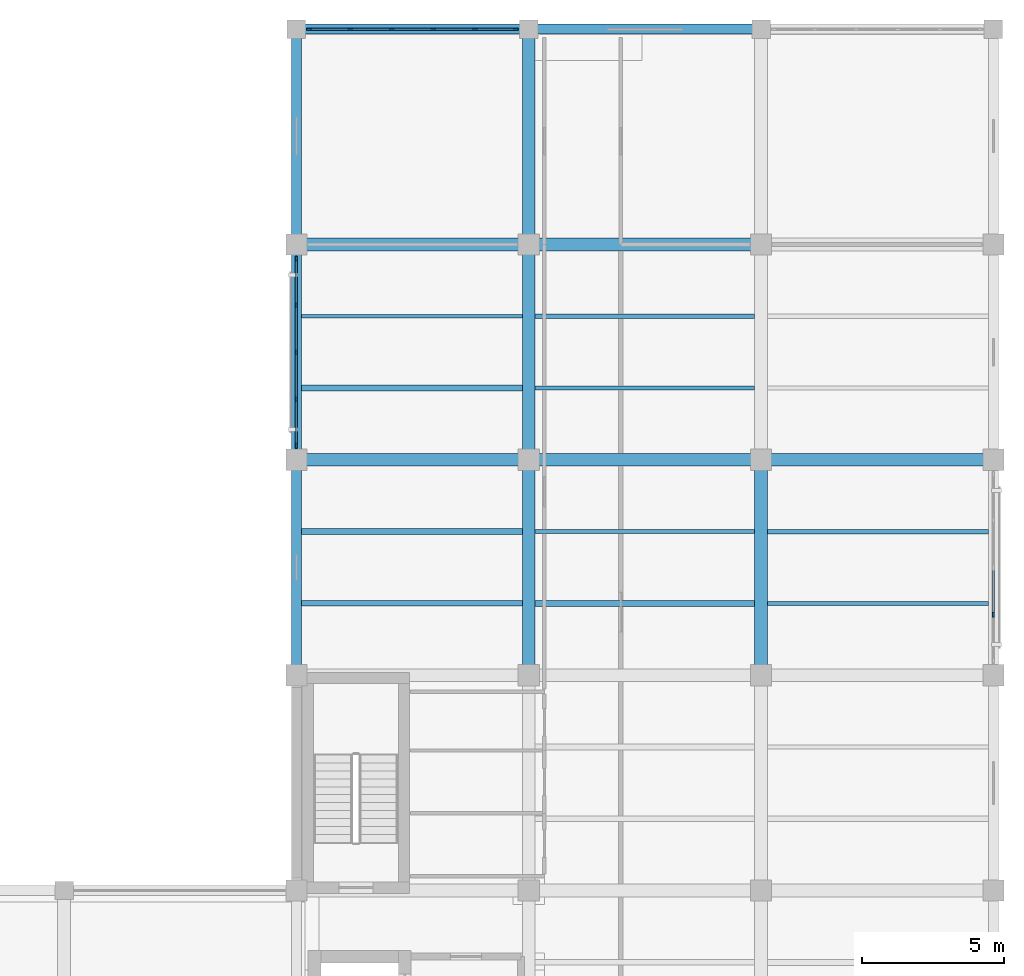
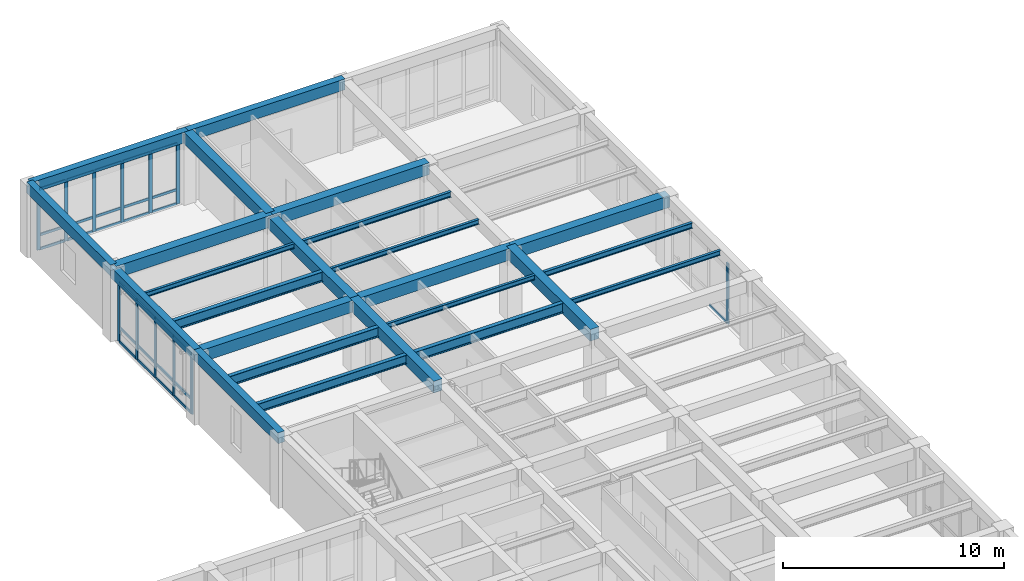
# One storey, part 4 of 14: 40 members, 24 beams, 3 elements without a shape of their own.
"""IFC4 building model written with IfcOpenShell, lengths in metres."""

from ifc_helpers import new_model, si_unit, direction, frame, origin, origin_2d, place, context, subcontext, project, spatial, rectangle, i_section, extrude, material, material_profile, profile_set, type_object, element, aggregate, save


model = new_model("IFC4")

# Units and contexts
model_context = context("Model", 3, precision=1e-05, world=origin(), true_north=direction((0.0, 1.0)))
body_context = subcontext(model_context, "Body", "Model", "MODEL_VIEW")
ifc_project = project(units=[si_unit("LENGTHUNIT", "METRE"), si_unit("AREAUNIT", "SQUARE_METRE"), si_unit("VOLUMEUNIT", "CUBIC_METRE"), si_unit("PLANEANGLEUNIT", "RADIAN"), si_unit("MASSUNIT", "GRAM", prefix="KILO")], contexts=[model_context])

# Site, building, storey
site_placement = place(None, origin())
site = spatial("IfcSite", under=ifc_project, at=site_placement, CompositionType="ELEMENT")
building_placement = place(site_placement, origin())
building = spatial("IfcBuilding", under=site, at=building_placement, Name="Qandaris Square Conservatory and Botanical Centre", CompositionType="ELEMENT")
storey_placement = place(building_placement, frame((0.0, 0.0, 49.199951171875)))
storey = spatial("IfcBuildingStorey", under=building, at=storey_placement, Name="L11", CompositionType="ELEMENT", Elevation=49.199951171875)

# Beams
ifc_material_1 = material(Name="Steel S355", Category="steel")
ifc_material_profile_1 = material_profile(ifc_material_1, i_section(OverallWidth=0.199951171875, OverallDepth=0.5, WebThickness=0.01025390625, FlangeThickness=0.01611328125, FilletRadius=0.02099609375, at=origin_2d()), Name="IPE 500")
ifc_profile_set_1 = profile_set([ifc_material_profile_1], Name="Steel S355")
beam_type_1 = type_object("IfcBeamType", Name="Composite Gallery Joist IPE 500", PredefinedType="JOIST", material=ifc_profile_set_1)
beam_1_placement = place(storey_placement, frame((139.375, 49.533203125, 3.64013671875), z_axis=(1.0, 0.0, 0.0), x_axis=(0.0, 1.0, 0.0)))
element("IfcBeam", 1, at=beam_1_placement, inside=storey, type_object=beam_type_1, Name="L11 Composite Joist 2619", PredefinedType="JOIST", context=body_context, shape_type="SweptSolid", body=[
    extrude(i_section(OverallWidth=0.199951171875, OverallDepth=0.5, WebThickness=0.01025390625, FlangeThickness=0.01611328125, FilletRadius=0.02099609375, at=origin_2d()), origin(), (0.0, 0.0, 1.0), 7.800048828125),
])
ifc_material_profile_2 = material_profile(ifc_material_1, i_section(OverallWidth=0.14990234375, OverallDepth=0.300048828125, WebThickness=0.007080078125, FlangeThickness=0.0107421875, FilletRadius=0.014892578125, at=origin_2d()), Name="IPE 300")
ifc_profile_set_2 = profile_set([ifc_material_profile_2], Name="Steel S355")
beam_type_2 = type_object("IfcBeamType", Name="Composite Lab Joist IPE 300", PredefinedType="JOIST", material=ifc_profile_set_2)
beam_2_placement = place(storey_placement, frame((147.625, 59.666748046875, 3.739990234375), z_axis=(1.0, 0.0, 0.0), x_axis=(0.0, 1.0, 0.0)))
element("IfcBeam", 2, at=beam_2_placement, inside=storey, type_object=beam_type_2, Name="L11 Composite Joist 2631", PredefinedType="JOIST", context=body_context, shape_type="SweptSolid", body=[
    extrude(i_section(OverallWidth=0.14990234375, OverallDepth=0.300048828125, WebThickness=0.007080078125, FlangeThickness=0.0107421875, FilletRadius=0.014892578125, at=origin_2d()), origin(), (0.0, 0.0, 1.0), 7.75),
])
beam_3_placement = place(storey_placement, frame((155.824951171875, 52.066650390625, 3.739990234375), z_axis=(1.0, 0.0, 0.0), x_axis=(0.0, 1.0, 0.0)))
element("IfcBeam", 3, at=beam_3_placement, inside=storey, type_object=beam_type_2, Name="L11 Composite Joist 2641", PredefinedType="JOIST", context=body_context, shape_type="SweptSolid", body=[
    extrude(i_section(OverallWidth=0.14990234375, OverallDepth=0.300048828125, WebThickness=0.007080078125, FlangeThickness=0.0107421875, FilletRadius=0.014892578125, at=origin_2d()), origin(), (0.0, 0.0, 1.0), 7.800048828125),
])

# Curtain wall, member
ifc_material_2 = material(Name="Anodised Aluminium", Category="aluminium")
curtain_wall_type_1 = type_object("IfcCurtainWallType", Name="Unitised Curtain Wall CW-4-665x334", PredefinedType="USERDEFINED", material=ifc_material_2)
curtain_wall_1_placement = place(storey_placement, origin())
curtain_wall_1 = element("IfcCurtainWall", 4, at=curtain_wall_1_placement, inside=storey, type_object=curtain_wall_type_1, Name="Curtain Wall CW-TWR-L11-2-5", ObjectType="GLAZED CURTAIN WALL", PredefinedType="USERDEFINED")
ifc_material_profile_3 = material_profile(ifc_material_2, rectangle(XDim=0.06494140625, YDim=0.179931640625, at=origin_2d()), Name="ALU-MUL 65x180")
ifc_profile_set_3 = profile_set([ifc_material_profile_3], Name="Anodised Aluminium")
member_type_1 = type_object("IfcMemberType", Name="Curtain Wall Mullion 65x180", PredefinedType="MULLION", material=ifc_profile_set_3)
member_1_placement = place(storey_placement, frame((163.800048828125, 49.137451171875, 0.0), z_axis=(0.0, 0.0, 1.0), x_axis=(-1.0, 0.0, 0.0)))
member_1 = element("IfcMember", 5, at=member_1_placement, type_object=member_type_1, Name="CW-4-665x334 mullion 2", PredefinedType="MULLION", context=body_context, shape_type="SweptSolid", body=[
    extrude(rectangle(XDim=0.06494140625, YDim=0.179931640625, at=origin_2d()), origin(), (0.0, 0.0, 1.0), 3.344970703125),
])

# Curtain wall, members
curtain_wall_type_2 = type_object("IfcCurtainWallType", Name="Unitised Curtain Wall CW-3-735x337", PredefinedType="USERDEFINED", material=ifc_material_2)
curtain_wall_2_placement = place(storey_placement, origin())
curtain_wall_2 = element("IfcCurtainWall", 6, at=curtain_wall_2_placement, inside=storey, type_object=curtain_wall_type_2, Name="Curtain Wall CW-TWR-L11-3-3", ObjectType="GLAZED CURTAIN WALL", PredefinedType="USERDEFINED")
member_2_placement = place(storey_placement, frame((146.9423828125, 69.800048828125, 0.0), z_axis=(0.0, 0.0, 1.0), x_axis=(0.0, -1.0, 0.0)))
member_2 = element("IfcMember", 7, at=member_2_placement, type_object=member_type_1, Name="CW-3-735x337 mullion 1", PredefinedType="MULLION", context=body_context, shape_type="SweptSolid", body=[
    extrude(rectangle(XDim=0.06494140625, YDim=0.179931640625, at=origin_2d()), origin(), (0.0, 0.0, 1.0), 3.3701171875),
])
member_3_placement = place(storey_placement, frame((145.5048828125, 69.800048828125, 0.0), z_axis=(0.0, 0.0, 1.0), x_axis=(0.0, -1.0, 0.0)))
member_3 = element("IfcMember", 8, at=member_3_placement, type_object=member_type_1, Name="CW-3-735x337 mullion 2", PredefinedType="MULLION", context=body_context, shape_type="SweptSolid", body=[
    extrude(rectangle(XDim=0.06494140625, YDim=0.179931640625, at=origin_2d()), origin(), (0.0, 0.0, 1.0), 3.3701171875),
])
member_4_placement = place(storey_placement, frame((144.034912109375, 69.800048828125, 0.0), z_axis=(0.0, 0.0, 1.0), x_axis=(0.0, -1.0, 0.0)))
member_4 = element("IfcMember", 9, at=member_4_placement, type_object=member_type_1, Name="CW-3-735x337 mullion 3", PredefinedType="MULLION", context=body_context, shape_type="SweptSolid", body=[
    extrude(rectangle(XDim=0.06494140625, YDim=0.179931640625, at=origin_2d()), origin(), (0.0, 0.0, 1.0), 3.3701171875),
])
member_5_placement = place(storey_placement, frame((142.56494140625, 69.800048828125, 0.0), z_axis=(0.0, 0.0, 1.0), x_axis=(0.0, -1.0, 0.0)))
member_5 = element("IfcMember", 10, at=member_5_placement, type_object=member_type_1, Name="CW-3-735x337 mullion 4", PredefinedType="MULLION", context=body_context, shape_type="SweptSolid", body=[
    extrude(rectangle(XDim=0.06494140625, YDim=0.179931640625, at=origin_2d()), origin(), (0.0, 0.0, 1.0), 3.3701171875),
])
member_6_placement = place(storey_placement, frame((141.094970703125, 69.800048828125, 0.0), z_axis=(0.0, 0.0, 1.0), x_axis=(0.0, -1.0, 0.0)))
member_6 = element("IfcMember", 11, at=member_6_placement, type_object=member_type_1, Name="CW-3-735x337 mullion 5", PredefinedType="MULLION", context=body_context, shape_type="SweptSolid", body=[
    extrude(rectangle(XDim=0.06494140625, YDim=0.179931640625, at=origin_2d()), origin(), (0.0, 0.0, 1.0), 3.3701171875),
])
member_7_placement = place(storey_placement, frame((139.657470703125, 69.800048828125, 0.0), z_axis=(0.0, 0.0, 1.0), x_axis=(0.0, -1.0, 0.0)))
member_7 = element("IfcMember", 12, at=member_7_placement, type_object=member_type_1, Name="CW-3-735x337 mullion 6", PredefinedType="MULLION", context=body_context, shape_type="SweptSolid", body=[
    extrude(rectangle(XDim=0.06494140625, YDim=0.179931640625, at=origin_2d()), origin(), (0.0, 0.0, 1.0), 3.3701171875),
])

curtain_wall_type_3 = type_object("IfcCurtainWallType", Name="Unitised Curtain Wall CW-4-665x330", PredefinedType="USERDEFINED", material=ifc_material_2)
curtain_wall_3_placement = place(storey_placement, origin())
curtain_wall_3 = element("IfcCurtainWall", 13, at=curtain_wall_3_placement, inside=storey, type_object=curtain_wall_type_3, Name="Curtain Wall CW-TWR-L11-4-2", ObjectType="GLAZED CURTAIN WALL", PredefinedType="USERDEFINED")
member_8_placement = place(storey_placement, frame((139.199951171875, 61.6923828125, 0.0), z_axis=(0.0, 0.0, 1.0), x_axis=(1.0, 0.0, 0.0)))
member_8 = element("IfcMember", 14, at=member_8_placement, type_object=member_type_1, Name="CW-4-665x330 mullion 1", PredefinedType="MULLION", context=body_context, shape_type="SweptSolid", body=[
    extrude(rectangle(XDim=0.06494140625, YDim=0.179931640625, at=origin_2d()), origin(), (0.0, 0.0, 1.0), 3.300048828125),
])
member_9_placement = place(storey_placement, frame((139.199951171875, 60.0625, 0.0), z_axis=(0.0, 0.0, 1.0), x_axis=(1.0, 0.0, 0.0)))
member_9 = element("IfcMember", 15, at=member_9_placement, type_object=member_type_1, Name="CW-4-665x330 mullion 2", PredefinedType="MULLION", context=body_context, shape_type="SweptSolid", body=[
    extrude(rectangle(XDim=0.06494140625, YDim=0.179931640625, at=origin_2d()), origin(), (0.0, 0.0, 1.0), 3.300048828125),
])
member_10_placement = place(storey_placement, frame((139.199951171875, 58.39990234375, 0.0), z_axis=(0.0, 0.0, 1.0), x_axis=(1.0, 0.0, 0.0)))
member_10 = element("IfcMember", 16, at=member_10_placement, type_object=member_type_1, Name="CW-4-665x330 mullion 3", PredefinedType="MULLION", context=body_context, shape_type="SweptSolid", body=[
    extrude(rectangle(XDim=0.06494140625, YDim=0.179931640625, at=origin_2d()), origin(), (0.0, 0.0, 1.0), 3.300048828125),
])
member_11_placement = place(storey_placement, frame((139.199951171875, 56.737548828125, 0.0), z_axis=(0.0, 0.0, 1.0), x_axis=(1.0, 0.0, 0.0)))
member_11 = element("IfcMember", 17, at=member_11_placement, type_object=member_type_1, Name="CW-4-665x330 mullion 4", PredefinedType="MULLION", context=body_context, shape_type="SweptSolid", body=[
    extrude(rectangle(XDim=0.06494140625, YDim=0.179931640625, at=origin_2d()), origin(), (0.0, 0.0, 1.0), 3.300048828125),
])
member_12_placement = place(storey_placement, frame((139.199951171875, 55.107421875, 0.0), z_axis=(0.0, 0.0, 1.0), x_axis=(1.0, 0.0, 0.0)))
member_12 = element("IfcMember", 18, at=member_12_placement, type_object=member_type_1, Name="CW-4-665x330 mullion 5", PredefinedType="MULLION", context=body_context, shape_type="SweptSolid", body=[
    extrude(rectangle(XDim=0.06494140625, YDim=0.179931640625, at=origin_2d()), origin(), (0.0, 0.0, 1.0), 3.300048828125),
])

# Member
ifc_material_profile_4 = material_profile(ifc_material_2, rectangle(XDim=0.06494140625, YDim=0.139892578125, at=origin_2d()), Name="ALU-TRN 65x140")
ifc_profile_set_4 = profile_set([ifc_material_profile_4], Name="Anodised Aluminium")
member_type_2 = type_object("IfcMemberType", Name="Curtain Wall Transom 65x140", PredefinedType="USERDEFINED", material=ifc_profile_set_4)
member_13_placement = place(storey_placement, frame((163.800048828125, 49.169921875, 0.032470703125), z_axis=(0.0, 1.0, 0.0), x_axis=(-1.0, 0.0, 0.0)))
member_13 = element("IfcMember", 19, at=member_13_placement, type_object=member_type_2, Name="CW-4-665x334 transom 2.1", ObjectType="TRANSOM", PredefinedType="USERDEFINED", context=body_context, shape_type="SweptSolid", body=[
    extrude(rectangle(XDim=0.06494140625, YDim=0.139892578125, at=origin_2d()), origin(), (0.0, 0.0, 1.0), 1.59765625),
])

aggregate(curtain_wall_1, [member_1, member_13])

member_14_placement = place(storey_placement, frame((146.909912109375, 69.800048828125, 0.032470703125), z_axis=(-1.0, 0.0, 0.0), x_axis=(0.0, -1.0, 0.0)))
member_14 = element("IfcMember", 20, at=member_14_placement, type_object=member_type_2, Name="CW-3-735x337 transom 1.1", ObjectType="TRANSOM", PredefinedType="USERDEFINED", context=body_context, shape_type="SweptSolid", body=[
    extrude(rectangle(XDim=0.06494140625, YDim=0.139892578125, at=origin_2d()), origin(), (0.0, 0.0, 1.0), 1.372314453125),
])

member_15_placement = place(storey_placement, frame((146.909912109375, 69.800048828125, 0.808837890625), z_axis=(-1.0, 0.0, 0.0), x_axis=(0.0, -1.0, 0.0)))
member_15 = element("IfcMember", 21, at=member_15_placement, type_object=member_type_2, Name="CW-3-735x337 transom 1.2", ObjectType="TRANSOM", PredefinedType="USERDEFINED", context=body_context, shape_type="SweptSolid", body=[
    extrude(rectangle(XDim=0.06494140625, YDim=0.139892578125, at=origin_2d()), origin(), (0.0, 0.0, 1.0), 1.372314453125),
])

member_16_placement = place(storey_placement, frame((146.909912109375, 69.800048828125, 3.337646484375), z_axis=(-1.0, 0.0, 0.0), x_axis=(0.0, -1.0, 0.0)))
member_16 = element("IfcMember", 22, at=member_16_placement, type_object=member_type_2, Name="CW-3-735x337 transom 1.3", ObjectType="TRANSOM", PredefinedType="USERDEFINED", context=body_context, shape_type="SweptSolid", body=[
    extrude(rectangle(XDim=0.06494140625, YDim=0.139892578125, at=origin_2d()), origin(), (0.0, 0.0, 1.0), 1.372314453125),
])

member_17_placement = place(storey_placement, frame((145.472412109375, 69.800048828125, 0.032470703125), z_axis=(-1.0, 0.0, 0.0), x_axis=(0.0, -1.0, 0.0)))
member_17 = element("IfcMember", 23, at=member_17_placement, type_object=member_type_2, Name="CW-3-735x337 transom 2.1", ObjectType="TRANSOM", PredefinedType="USERDEFINED", context=body_context, shape_type="SweptSolid", body=[
    extrude(rectangle(XDim=0.06494140625, YDim=0.139892578125, at=origin_2d()), origin(), (0.0, 0.0, 1.0), 1.405029296875),
])

member_18_placement = place(storey_placement, frame((145.472412109375, 69.800048828125, 0.808837890625), z_axis=(-1.0, 0.0, 0.0), x_axis=(0.0, -1.0, 0.0)))
member_18 = element("IfcMember", 24, at=member_18_placement, type_object=member_type_2, Name="CW-3-735x337 transom 2.2", ObjectType="TRANSOM", PredefinedType="USERDEFINED", context=body_context, shape_type="SweptSolid", body=[
    extrude(rectangle(XDim=0.06494140625, YDim=0.139892578125, at=origin_2d()), origin(), (0.0, 0.0, 1.0), 1.405029296875),
])

member_19_placement = place(storey_placement, frame((145.472412109375, 69.800048828125, 3.337646484375), z_axis=(-1.0, 0.0, 0.0), x_axis=(0.0, -1.0, 0.0)))
member_19 = element("IfcMember", 25, at=member_19_placement, type_object=member_type_2, Name="CW-3-735x337 transom 2.3", ObjectType="TRANSOM", PredefinedType="USERDEFINED", context=body_context, shape_type="SweptSolid", body=[
    extrude(rectangle(XDim=0.06494140625, YDim=0.139892578125, at=origin_2d()), origin(), (0.0, 0.0, 1.0), 1.405029296875),
])

member_20_placement = place(storey_placement, frame((144.00244140625, 69.800048828125, 0.032470703125), z_axis=(-1.0, 0.0, 0.0), x_axis=(0.0, -1.0, 0.0)))
member_20 = element("IfcMember", 26, at=member_20_placement, type_object=member_type_2, Name="CW-3-735x337 transom 3.1", ObjectType="TRANSOM", PredefinedType="USERDEFINED", context=body_context, shape_type="SweptSolid", body=[
    extrude(rectangle(XDim=0.06494140625, YDim=0.139892578125, at=origin_2d()), origin(), (0.0, 0.0, 1.0), 1.405029296875),
])

member_21_placement = place(storey_placement, frame((144.00244140625, 69.800048828125, 0.808837890625), z_axis=(-1.0, 0.0, 0.0), x_axis=(0.0, -1.0, 0.0)))
member_21 = element("IfcMember", 27, at=member_21_placement, type_object=member_type_2, Name="CW-3-735x337 transom 3.2", ObjectType="TRANSOM", PredefinedType="USERDEFINED", context=body_context, shape_type="SweptSolid", body=[
    extrude(rectangle(XDim=0.06494140625, YDim=0.139892578125, at=origin_2d()), origin(), (0.0, 0.0, 1.0), 1.405029296875),
])

member_22_placement = place(storey_placement, frame((144.00244140625, 69.800048828125, 3.337646484375), z_axis=(-1.0, 0.0, 0.0), x_axis=(0.0, -1.0, 0.0)))
member_22 = element("IfcMember", 28, at=member_22_placement, type_object=member_type_2, Name="CW-3-735x337 transom 3.3", ObjectType="TRANSOM", PredefinedType="USERDEFINED", context=body_context, shape_type="SweptSolid", body=[
    extrude(rectangle(XDim=0.06494140625, YDim=0.139892578125, at=origin_2d()), origin(), (0.0, 0.0, 1.0), 1.405029296875),
])

member_23_placement = place(storey_placement, frame((142.532470703125, 69.800048828125, 0.032470703125), z_axis=(-1.0, 0.0, 0.0), x_axis=(0.0, -1.0, 0.0)))
member_23 = element("IfcMember", 29, at=member_23_placement, type_object=member_type_2, Name="CW-3-735x337 transom 4.1", ObjectType="TRANSOM", PredefinedType="USERDEFINED", context=body_context, shape_type="SweptSolid", body=[
    extrude(rectangle(XDim=0.06494140625, YDim=0.139892578125, at=origin_2d()), origin(), (0.0, 0.0, 1.0), 1.405029296875),
])

member_24_placement = place(storey_placement, frame((142.532470703125, 69.800048828125, 0.808837890625), z_axis=(-1.0, 0.0, 0.0), x_axis=(0.0, -1.0, 0.0)))
member_24 = element("IfcMember", 30, at=member_24_placement, type_object=member_type_2, Name="CW-3-735x337 transom 4.2", ObjectType="TRANSOM", PredefinedType="USERDEFINED", context=body_context, shape_type="SweptSolid", body=[
    extrude(rectangle(XDim=0.06494140625, YDim=0.139892578125, at=origin_2d()), origin(), (0.0, 0.0, 1.0), 1.405029296875),
])

member_25_placement = place(storey_placement, frame((142.532470703125, 69.800048828125, 3.337646484375), z_axis=(-1.0, 0.0, 0.0), x_axis=(0.0, -1.0, 0.0)))
member_25 = element("IfcMember", 31, at=member_25_placement, type_object=member_type_2, Name="CW-3-735x337 transom 4.3", ObjectType="TRANSOM", PredefinedType="USERDEFINED", context=body_context, shape_type="SweptSolid", body=[
    extrude(rectangle(XDim=0.06494140625, YDim=0.139892578125, at=origin_2d()), origin(), (0.0, 0.0, 1.0), 1.405029296875),
])

member_26_placement = place(storey_placement, frame((141.0625, 69.800048828125, 0.032470703125), z_axis=(-1.0, 0.0, 0.0), x_axis=(0.0, -1.0, 0.0)))
member_26 = element("IfcMember", 32, at=member_26_placement, type_object=member_type_2, Name="CW-3-735x337 transom 5.1", ObjectType="TRANSOM", PredefinedType="USERDEFINED", context=body_context, shape_type="SweptSolid", body=[
    extrude(rectangle(XDim=0.06494140625, YDim=0.139892578125, at=origin_2d()), origin(), (0.0, 0.0, 1.0), 1.37255859375),
])

member_27_placement = place(storey_placement, frame((141.0625, 69.800048828125, 0.808837890625), z_axis=(-1.0, 0.0, 0.0), x_axis=(0.0, -1.0, 0.0)))
member_27 = element("IfcMember", 33, at=member_27_placement, type_object=member_type_2, Name="CW-3-735x337 transom 5.2", ObjectType="TRANSOM", PredefinedType="USERDEFINED", context=body_context, shape_type="SweptSolid", body=[
    extrude(rectangle(XDim=0.06494140625, YDim=0.139892578125, at=origin_2d()), origin(), (0.0, 0.0, 1.0), 1.37255859375),
])

member_28_placement = place(storey_placement, frame((141.0625, 69.800048828125, 3.337646484375), z_axis=(-1.0, 0.0, 0.0), x_axis=(0.0, -1.0, 0.0)))
member_28 = element("IfcMember", 34, at=member_28_placement, type_object=member_type_2, Name="CW-3-735x337 transom 5.3", ObjectType="TRANSOM", PredefinedType="USERDEFINED", context=body_context, shape_type="SweptSolid", body=[
    extrude(rectangle(XDim=0.06494140625, YDim=0.139892578125, at=origin_2d()), origin(), (0.0, 0.0, 1.0), 1.37255859375),
])

aggregate(curtain_wall_2, [member_2, member_3, member_4, member_5, member_6, member_7, member_14, member_15, member_16, member_17, member_18, member_19, member_20, member_21, member_22, member_23, member_24, member_25, member_26, member_27, member_28])

member_29_placement = place(storey_placement, frame((139.199951171875, 61.659912109375, 0.032470703125), z_axis=(0.0, -1.0, 0.0), x_axis=(1.0, 0.0, 0.0)))
member_29 = element("IfcMember", 35, at=member_29_placement, type_object=member_type_2, Name="CW-4-665x330 transom 1.1", ObjectType="TRANSOM", PredefinedType="USERDEFINED", context=body_context, shape_type="SweptSolid", body=[
    extrude(rectangle(XDim=0.06494140625, YDim=0.139892578125, at=origin_2d()), origin(), (0.0, 0.0, 1.0), 1.56494140625),
])

member_30_placement = place(storey_placement, frame((139.199951171875, 61.659912109375, 0.7919921875), z_axis=(0.0, -1.0, 0.0), x_axis=(1.0, 0.0, 0.0)))
member_30 = element("IfcMember", 36, at=member_30_placement, type_object=member_type_2, Name="CW-4-665x330 transom 1.2", ObjectType="TRANSOM", PredefinedType="USERDEFINED", context=body_context, shape_type="SweptSolid", body=[
    extrude(rectangle(XDim=0.06494140625, YDim=0.139892578125, at=origin_2d()), origin(), (0.0, 0.0, 1.0), 1.56494140625),
])

member_31_placement = place(storey_placement, frame((139.199951171875, 61.659912109375, 3.267578125), z_axis=(0.0, -1.0, 0.0), x_axis=(1.0, 0.0, 0.0)))
member_31 = element("IfcMember", 37, at=member_31_placement, type_object=member_type_2, Name="CW-4-665x330 transom 1.3", ObjectType="TRANSOM", PredefinedType="USERDEFINED", context=body_context, shape_type="SweptSolid", body=[
    extrude(rectangle(XDim=0.06494140625, YDim=0.139892578125, at=origin_2d()), origin(), (0.0, 0.0, 1.0), 1.56494140625),
])

member_32_placement = place(storey_placement, frame((139.199951171875, 60.030029296875, 0.032470703125), z_axis=(0.0, -1.0, 0.0), x_axis=(1.0, 0.0, 0.0)))
member_32 = element("IfcMember", 38, at=member_32_placement, type_object=member_type_2, Name="CW-4-665x330 transom 2.1", ObjectType="TRANSOM", PredefinedType="USERDEFINED", context=body_context, shape_type="SweptSolid", body=[
    extrude(rectangle(XDim=0.06494140625, YDim=0.139892578125, at=origin_2d()), origin(), (0.0, 0.0, 1.0), 1.597412109375),
])

member_33_placement = place(storey_placement, frame((139.199951171875, 60.030029296875, 0.7919921875), z_axis=(0.0, -1.0, 0.0), x_axis=(1.0, 0.0, 0.0)))
member_33 = element("IfcMember", 39, at=member_33_placement, type_object=member_type_2, Name="CW-4-665x330 transom 2.2", ObjectType="TRANSOM", PredefinedType="USERDEFINED", context=body_context, shape_type="SweptSolid", body=[
    extrude(rectangle(XDim=0.06494140625, YDim=0.139892578125, at=origin_2d()), origin(), (0.0, 0.0, 1.0), 1.597412109375),
])

member_34_placement = place(storey_placement, frame((139.199951171875, 60.030029296875, 3.267578125), z_axis=(0.0, -1.0, 0.0), x_axis=(1.0, 0.0, 0.0)))
member_34 = element("IfcMember", 40, at=member_34_placement, type_object=member_type_2, Name="CW-4-665x330 transom 2.3", ObjectType="TRANSOM", PredefinedType="USERDEFINED", context=body_context, shape_type="SweptSolid", body=[
    extrude(rectangle(XDim=0.06494140625, YDim=0.139892578125, at=origin_2d()), origin(), (0.0, 0.0, 1.0), 1.597412109375),
])

member_35_placement = place(storey_placement, frame((139.199951171875, 58.367431640625, 0.032470703125), z_axis=(0.0, -1.0, 0.0), x_axis=(1.0, 0.0, 0.0)))
member_35 = element("IfcMember", 41, at=member_35_placement, type_object=member_type_2, Name="CW-4-665x330 transom 3.1", ObjectType="TRANSOM", PredefinedType="USERDEFINED", context=body_context, shape_type="SweptSolid", body=[
    extrude(rectangle(XDim=0.06494140625, YDim=0.139892578125, at=origin_2d()), origin(), (0.0, 0.0, 1.0), 1.597412109375),
])

member_36_placement = place(storey_placement, frame((139.199951171875, 58.367431640625, 0.7919921875), z_axis=(0.0, -1.0, 0.0), x_axis=(1.0, 0.0, 0.0)))
member_36 = element("IfcMember", 42, at=member_36_placement, type_object=member_type_2, Name="CW-4-665x330 transom 3.2", ObjectType="TRANSOM", PredefinedType="USERDEFINED", context=body_context, shape_type="SweptSolid", body=[
    extrude(rectangle(XDim=0.06494140625, YDim=0.139892578125, at=origin_2d()), origin(), (0.0, 0.0, 1.0), 1.597412109375),
])

member_37_placement = place(storey_placement, frame((139.199951171875, 58.367431640625, 3.267578125), z_axis=(0.0, -1.0, 0.0), x_axis=(1.0, 0.0, 0.0)))
member_37 = element("IfcMember", 43, at=member_37_placement, type_object=member_type_2, Name="CW-4-665x330 transom 3.3", ObjectType="TRANSOM", PredefinedType="USERDEFINED", context=body_context, shape_type="SweptSolid", body=[
    extrude(rectangle(XDim=0.06494140625, YDim=0.139892578125, at=origin_2d()), origin(), (0.0, 0.0, 1.0), 1.597412109375),
])

member_38_placement = place(storey_placement, frame((139.199951171875, 56.705078125, 0.032470703125), z_axis=(0.0, -1.0, 0.0), x_axis=(1.0, 0.0, 0.0)))
member_38 = element("IfcMember", 44, at=member_38_placement, type_object=member_type_2, Name="CW-4-665x330 transom 4.1", ObjectType="TRANSOM", PredefinedType="USERDEFINED", context=body_context, shape_type="SweptSolid", body=[
    extrude(rectangle(XDim=0.06494140625, YDim=0.139892578125, at=origin_2d()), origin(), (0.0, 0.0, 1.0), 1.565185546875),
])

member_39_placement = place(storey_placement, frame((139.199951171875, 56.705078125, 0.7919921875), z_axis=(0.0, -1.0, 0.0), x_axis=(1.0, 0.0, 0.0)))
member_39 = element("IfcMember", 45, at=member_39_placement, type_object=member_type_2, Name="CW-4-665x330 transom 4.2", ObjectType="TRANSOM", PredefinedType="USERDEFINED", context=body_context, shape_type="SweptSolid", body=[
    extrude(rectangle(XDim=0.06494140625, YDim=0.139892578125, at=origin_2d()), origin(), (0.0, 0.0, 1.0), 1.565185546875),
])

member_40_placement = place(storey_placement, frame((139.199951171875, 56.705078125, 3.267578125), z_axis=(0.0, -1.0, 0.0), x_axis=(1.0, 0.0, 0.0)))
member_40 = element("IfcMember", 46, at=member_40_placement, type_object=member_type_2, Name="CW-4-665x330 transom 4.3", ObjectType="TRANSOM", PredefinedType="USERDEFINED", context=body_context, shape_type="SweptSolid", body=[
    extrude(rectangle(XDim=0.06494140625, YDim=0.139892578125, at=origin_2d()), origin(), (0.0, 0.0, 1.0), 1.565185546875),
])

aggregate(curtain_wall_3, [member_8, member_9, member_10, member_11, member_12, member_29, member_30, member_31, member_32, member_33, member_34, member_35, member_36, member_37, member_38, member_39, member_40])

# Beams
ifc_material_profile_5 = material_profile(ifc_material_1, i_section(OverallWidth=0.2099609375, OverallDepth=0.550048828125, WebThickness=0.010986328125, FlangeThickness=0.01708984375, FilletRadius=0.02392578125, at=origin_2d()), Name="IPE 550")
ifc_profile_set_5 = profile_set([ifc_material_profile_5], Name="Steel S355")
beam_type_3 = type_object("IfcBeamType", Name="Long-Span Foyer Joist IPE 550", PredefinedType="JOIST", material=ifc_profile_set_5)
for number, where, z_axis, x_axis, name in (
    (47, (139.375, 52.066650390625, 3.614990234375), (1.0, 0.0, 0.0), (0.0, 1.0, 0.0), "L11 Composite Joist 2620"),
    (48, (139.375, 57.13330078125, 3.614990234375), (1.0, 0.0, 0.0), (0.0, 1.0, 0.0), "L11 Composite Joist 2621"),
):
    element("IfcBeam", number, at=place(storey_placement, frame(where, z_axis=z_axis, x_axis=x_axis)), inside=storey, type_object=beam_type_3, Name=name, PredefinedType="JOIST", context=body_context, shape_type="SweptSolid", body=[
        extrude(i_section(OverallWidth=0.2099609375, OverallDepth=0.550048828125, WebThickness=0.010986328125, FlangeThickness=0.01708984375, FilletRadius=0.02392578125, at=origin_2d()), origin(), (0.0, 0.0, 1.0), 7.800048828125),
    ])
beam_4_placement = place(storey_placement, frame((147.625, 49.533203125, 3.614990234375), z_axis=(1.0, 0.0, 0.0), x_axis=(0.0, 1.0, 0.0)))
element("IfcBeam", 49, at=beam_4_placement, inside=storey, type_object=beam_type_3, Name="L11 Composite Joist 2628", PredefinedType="JOIST", context=body_context, shape_type="SweptSolid", body=[
    extrude(i_section(OverallWidth=0.2099609375, OverallDepth=0.550048828125, WebThickness=0.010986328125, FlangeThickness=0.01708984375, FilletRadius=0.02392578125, at=origin_2d()), origin(), (0.0, 0.0, 1.0), 7.75),
])
ifc_material_3 = material(Name="Concrete C50/60", Category="concrete")
ifc_material_profile_6 = material_profile(ifc_material_3, rectangle(XDim=0.35009765625, YDim=0.60009765625, at=origin_2d()), Name="RC-SP 350x600")
ifc_profile_set_6 = profile_set([ifc_material_profile_6], Name="Concrete C50/60")
beam_type_4 = type_object("IfcBeamType", Name="RC Edge Spandrel Beam 350x600", PredefinedType="SPANDREL", material=ifc_profile_set_6)
beam_5_placement = place(storey_placement, frame((139.199951171875, 69.800048828125, 3.670166015625), z_axis=(1.0, 0.0, 0.0), x_axis=(0.0, 1.0, 0.0)))
element("IfcBeam", 50, at=beam_5_placement, inside=storey, type_object=beam_type_4, Name="L11 Frame Beam 2571", PredefinedType="SPANDREL", context=body_context, shape_type="SweptSolid", body=[
    extrude(rectangle(XDim=0.35009765625, YDim=0.60009765625, at=origin_2d()), origin(), (0.0, 0.0, 1.0), 8.199951171875),
])
beam_6_placement = place(storey_placement, frame((147.39990234375, 69.800048828125, 3.670166015625), z_axis=(1.0, 0.0, 0.0), x_axis=(0.0, 1.0, 0.0)))
element("IfcBeam", 51, at=beam_6_placement, inside=storey, type_object=beam_type_4, Name="L11 Frame Beam 2572", PredefinedType="SPANDREL", context=body_context, shape_type="SweptSolid", body=[
    extrude(rectangle(XDim=0.35009765625, YDim=0.60009765625, at=origin_2d()), origin(), (0.0, 0.0, 1.0), 8.2001953125),
])
beam_7_placement = place(storey_placement, frame((139.199951171875, 47.0, 3.60009765625), z_axis=(0.0, 1.0, 0.0), x_axis=(-1.0, 0.0, 0.0)))
element("IfcBeam", 52, at=beam_7_placement, inside=storey, type_object=beam_type_4, Name="L11 Frame Beam 2584", PredefinedType="SPANDREL", context=body_context, shape_type="SweptSolid", body=[
    extrude(rectangle(XDim=0.35009765625, YDim=0.60009765625, at=origin_2d()), origin(), (0.0, 0.0, 1.0), 7.60009765625),
])
beam_8_placement = place(storey_placement, frame((139.199951171875, 54.60009765625, 3.60009765625), z_axis=(0.0, 1.0, 0.0), x_axis=(-1.0, 0.0, 0.0)))
element("IfcBeam", 53, at=beam_8_placement, inside=storey, type_object=beam_type_4, Name="L11 Frame Beam 2585", PredefinedType="SPANDREL", context=body_context, shape_type="SweptSolid", body=[
    extrude(rectangle(XDim=0.35009765625, YDim=0.60009765625, at=origin_2d()), origin(), (0.0, 0.0, 1.0), 7.599853515625),
])
beam_9_placement = place(storey_placement, frame((139.199951171875, 62.199951171875, 3.670166015625), z_axis=(0.0, 1.0, 0.0), x_axis=(-1.0, 0.0, 0.0)))
element("IfcBeam", 54, at=beam_9_placement, inside=storey, type_object=beam_type_4, Name="L11 Frame Beam 2586", PredefinedType="SPANDREL", context=body_context, shape_type="SweptSolid", body=[
    extrude(rectangle(XDim=0.35009765625, YDim=0.60009765625, at=origin_2d()), origin(), (0.0, 0.0, 1.0), 7.60009765625),
])
ifc_material_profile_7 = material_profile(ifc_material_3, rectangle(XDim=0.449951171875, YDim=0.64990234375, at=origin_2d()), Name="RC-BM 450x650")
ifc_profile_set_7 = profile_set([ifc_material_profile_7], Name="Concrete C50/60")
beam_type_5 = type_object("IfcBeamType", Name="RC Floor Girder 450x650", PredefinedType="BEAM", material=ifc_profile_set_7)
beam_10_placement = place(storey_placement, frame((139.199951171875, 54.60009765625, 3.574951171875), z_axis=(1.0, 0.0, 0.0), x_axis=(0.0, 1.0, 0.0)))
element("IfcBeam", 55, at=beam_10_placement, inside=storey, type_object=beam_type_5, Name="L11 Frame Beam 2565", PredefinedType="BEAM", context=body_context, shape_type="SweptSolid", body=[
    extrude(rectangle(XDim=0.449951171875, YDim=0.64990234375, at=origin_2d()), origin(), (0.0, 0.0, 1.0), 8.199951171875),
])
beam_11_placement = place(storey_placement, frame((147.39990234375, 54.60009765625, 3.574951171875), z_axis=(1.0, 0.0, 0.0), x_axis=(0.0, 1.0, 0.0)))
element("IfcBeam", 56, at=beam_11_placement, inside=storey, type_object=beam_type_5, Name="L11 Frame Beam 2566", PredefinedType="BEAM", context=body_context, shape_type="SweptSolid", body=[
    extrude(rectangle(XDim=0.449951171875, YDim=0.64990234375, at=origin_2d()), origin(), (0.0, 0.0, 1.0), 8.2001953125),
])
for number, where, z_axis, x_axis, name in (
    (57, (155.60009765625, 54.60009765625, 3.574951171875), (1.0, 0.0, 0.0), (0.0, 1.0, 0.0), "L11 Frame Beam 2567"),
    (58, (139.199951171875, 62.199951171875, 3.64501953125), (1.0, 0.0, 0.0), (0.0, 1.0, 0.0), "L11 Frame Beam 2568"),
):
    element("IfcBeam", number, at=place(storey_placement, frame(where, z_axis=z_axis, x_axis=x_axis)), inside=storey, type_object=beam_type_5, Name=name, PredefinedType="BEAM", context=body_context, shape_type="SweptSolid", body=[
        extrude(rectangle(XDim=0.449951171875, YDim=0.64990234375, at=origin_2d()), origin(), (0.0, 0.0, 1.0), 8.199951171875),
    ])
beam_12_placement = place(storey_placement, frame((147.39990234375, 62.199951171875, 3.64501953125), z_axis=(1.0, 0.0, 0.0), x_axis=(0.0, 1.0, 0.0)))
element("IfcBeam", 59, at=beam_12_placement, inside=storey, type_object=beam_type_5, Name="L11 Frame Beam 2569", PredefinedType="BEAM", context=body_context, shape_type="SweptSolid", body=[
    extrude(rectangle(XDim=0.449951171875, YDim=0.64990234375, at=origin_2d()), origin(), (0.0, 0.0, 1.0), 8.2001953125),
])
beam_13_placement = place(storey_placement, frame((147.39990234375, 47.0, 3.574951171875), z_axis=(0.0, 1.0, 0.0), x_axis=(-1.0, 0.0, 0.0)))
element("IfcBeam", 60, at=beam_13_placement, inside=storey, type_object=beam_type_5, Name="L11 Frame Beam 2591", PredefinedType="BEAM", context=body_context, shape_type="SweptSolid", body=[
    extrude(rectangle(XDim=0.449951171875, YDim=0.64990234375, at=origin_2d()), origin(), (0.0, 0.0, 1.0), 7.60009765625),
])
beam_14_placement = place(storey_placement, frame((147.39990234375, 54.60009765625, 3.574951171875), z_axis=(0.0, 1.0, 0.0), x_axis=(-1.0, 0.0, 0.0)))
element("IfcBeam", 61, at=beam_14_placement, inside=storey, type_object=beam_type_5, Name="L11 Frame Beam 2592", PredefinedType="BEAM", context=body_context, shape_type="SweptSolid", body=[
    extrude(rectangle(XDim=0.449951171875, YDim=0.64990234375, at=origin_2d()), origin(), (0.0, 0.0, 1.0), 7.599853515625),
])
for number, where, z_axis, x_axis, name in (
    (62, (147.39990234375, 62.199951171875, 3.64501953125), (0.0, 1.0, 0.0), (-1.0, 0.0, 0.0), "L11 Frame Beam 2593"),
    (63, (155.60009765625, 47.0, 3.574951171875), (0.0, 1.0, 0.0), (-1.0, 0.0, 0.0), "L11 Frame Beam 2598"),
):
    element("IfcBeam", number, at=place(storey_placement, frame(where, z_axis=z_axis, x_axis=x_axis)), inside=storey, type_object=beam_type_5, Name=name, PredefinedType="BEAM", context=body_context, shape_type="SweptSolid", body=[
        extrude(rectangle(XDim=0.449951171875, YDim=0.64990234375, at=origin_2d()), origin(), (0.0, 0.0, 1.0), 7.60009765625),
    ])
ifc_material_profile_8 = material_profile(ifc_material_1, i_section(OverallWidth=0.135009765625, OverallDepth=0.27001953125, WebThickness=0.006591796875, FlangeThickness=0.01025390625, FilletRadius=0.014892578125, at=origin_2d()), Name="IPE 270")
ifc_profile_set_8 = profile_set([ifc_material_profile_8], Name="Steel S355")
beam_type_6 = type_object("IfcBeamType", Name="Steel Floor Joist IPE 270", PredefinedType="JOIST", material=ifc_profile_set_8)
beam_15_placement = place(storey_placement, frame((139.375, 59.666748046875, 3.755126953125), z_axis=(1.0, 0.0, 0.0), x_axis=(0.0, 1.0, 0.0)))
element("IfcBeam", 64, at=beam_15_placement, inside=storey, type_object=beam_type_6, Name="L11 Composite Joist 2622", PredefinedType="JOIST", context=body_context, shape_type="SweptSolid", body=[
    extrude(i_section(OverallWidth=0.135009765625, OverallDepth=0.27001953125, WebThickness=0.006591796875, FlangeThickness=0.01025390625, FilletRadius=0.014892578125, at=origin_2d()), origin(), (0.0, 0.0, 1.0), 7.800048828125),
])
for number, where, z_axis, x_axis, name in (
    (65, (147.625, 52.066650390625, 3.755126953125), (1.0, 0.0, 0.0), (0.0, 1.0, 0.0), "L11 Composite Joist 2629"),
    (66, (147.625, 57.13330078125, 3.755126953125), (1.0, 0.0, 0.0), (0.0, 1.0, 0.0), "L11 Composite Joist 2630"),
):
    element("IfcBeam", number, at=place(storey_placement, frame(where, z_axis=z_axis, x_axis=x_axis)), inside=storey, type_object=beam_type_6, Name=name, PredefinedType="JOIST", context=body_context, shape_type="SweptSolid", body=[
        extrude(i_section(OverallWidth=0.135009765625, OverallDepth=0.27001953125, WebThickness=0.006591796875, FlangeThickness=0.01025390625, FilletRadius=0.014892578125, at=origin_2d()), origin(), (0.0, 0.0, 1.0), 7.75),
    ])
beam_16_placement = place(storey_placement, frame((155.824951171875, 49.533203125, 3.755126953125), z_axis=(1.0, 0.0, 0.0), x_axis=(0.0, 1.0, 0.0)))
element("IfcBeam", 67, at=beam_16_placement, inside=storey, type_object=beam_type_6, Name="L11 Composite Joist 2640", PredefinedType="JOIST", context=body_context, shape_type="SweptSolid", body=[
    extrude(i_section(OverallWidth=0.135009765625, OverallDepth=0.27001953125, WebThickness=0.006591796875, FlangeThickness=0.01025390625, FilletRadius=0.014892578125, at=origin_2d()), origin(), (0.0, 0.0, 1.0), 7.800048828125),
])

save(model, "model.ifc")
